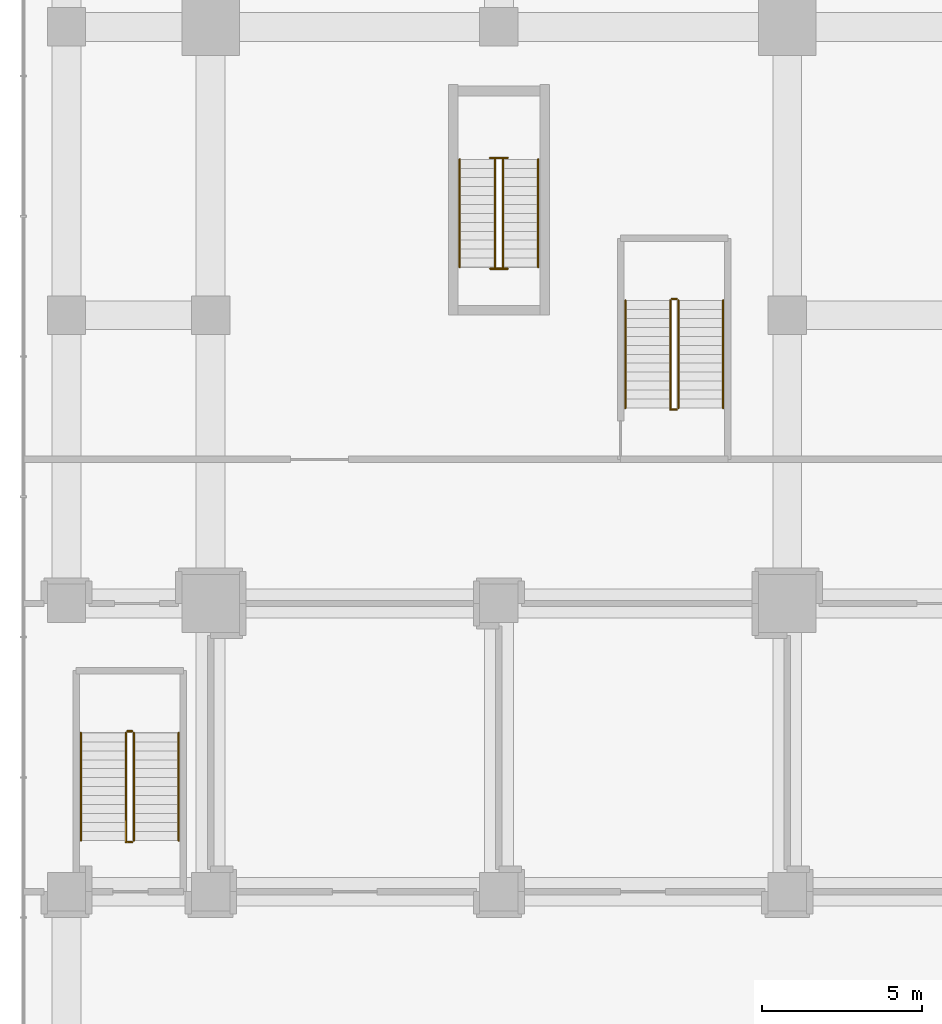
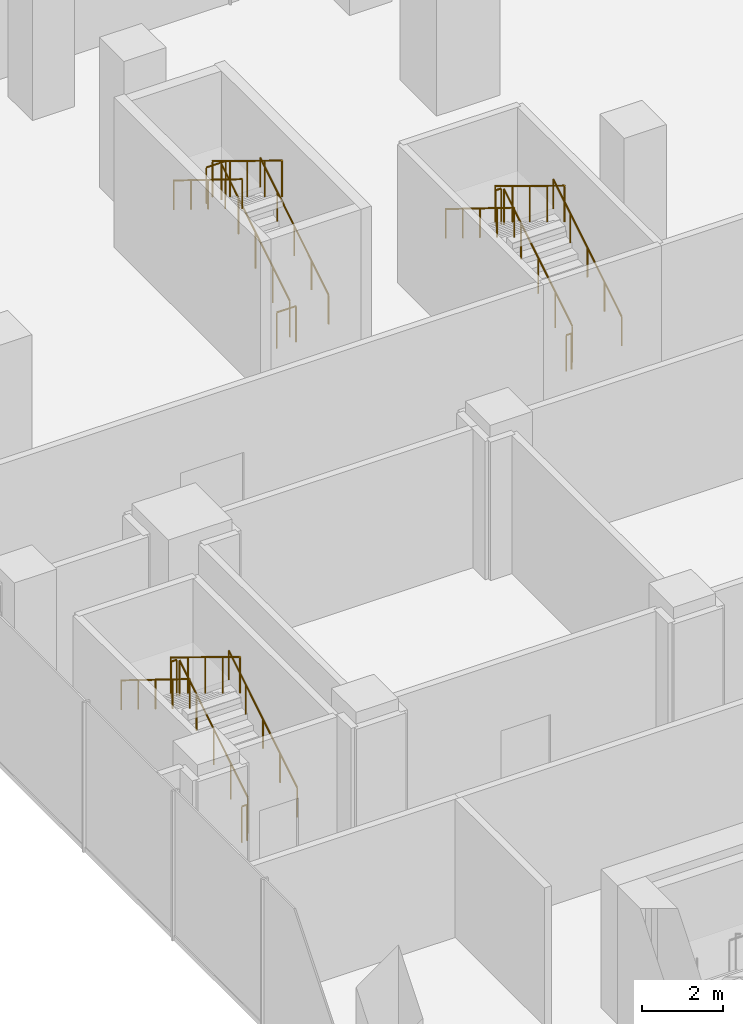
# One storey, part 40 of 43: 18 railings.
"""IFC4 building model written with IfcOpenShell, lengths in metres."""

import ifcopenshell
import ifcopenshell.guid

model = None  # the IFC model being written
_history = None  # IfcOwnerHistory: only IFC2X3 demands one
_inside = {}  # id of a spatial element -> (the spatial element, [elements in it])
_under = {}  # id of a project, library or spatial element -> (it, [spatial elements below it])
_declared = {}  # id of a project -> (the project, [libraries it declares])
_typed = {}  # id of a type object -> (the type object, [elements of that type])
_made_of = {}  # id of a material, layer set ... -> (it, [elements and type objects made of it])


def new_model(schema):
    """Start an empty IFC model of exactly this schema.

    Asked for "IFC4X3", IfcOpenShell would pick the latest addendum, in which some entities
    have other attributes; the version numbers below select the first issue.
    IFC2X3 requires an IfcOwnerHistory on every rooted entity: one is made here for all.
    """
    global model, _history
    if schema == "IFC4X3":
        model = ifcopenshell.file(schema_version=(4, 3, 0, 0))
    else:
        model = ifcopenshell.file(schema=schema)
    _inside.clear()
    _under.clear()
    _declared.clear()
    _typed.clear()
    _made_of.clear()
    _history = None
    if model.schema == "IFC2X3":
        org = make("IfcOrganization", Name="unknown")
        user = make(
            "IfcPersonAndOrganization",
            ThePerson=make("IfcPerson", FamilyName="unknown"),
            TheOrganization=org,
        )
        app = make(
            "IfcApplication",
            ApplicationDeveloper=org,
            Version="unknown",
            ApplicationFullName="unknown",
            ApplicationIdentifier="unknown",
        )
        _history = make(
            "IfcOwnerHistory",
            OwningUser=user,
            OwningApplication=app,
            ChangeAction="ADDED",
            CreationDate=0,
        )
    return model


def make(cls, **values):
    """One entity of the class cls with the attributes given. An attribute that is None is left unset."""
    return model.create_entity(
        cls, **{name: value for name, value in values.items() if value is not None}
    )


def rooted(cls, **values):
    """An entity with a GlobalId (a new one), such as an element, a storey or a relation."""
    return make(cls, GlobalId=ifcopenshell.guid.new(), OwnerHistory=_history, **values)


def si_unit(unit_type, name, prefix=None):
    """IfcSIUnit, for example si_unit("LENGTHUNIT", "METRE", prefix="MILLI")."""
    return make("IfcSIUnit", UnitType=unit_type, Prefix=prefix, Name=name)


def assignment(units):
    """IfcUnitAssignment: the units of a project."""
    return None if units is None else make("IfcUnitAssignment", Units=units)


def point(xyz):
    """IfcCartesianPoint."""
    return None if xyz is None else make("IfcCartesianPoint", Coordinates=xyz)


def direction(xyz):
    """IfcDirection."""
    return None if xyz is None else make("IfcDirection", DirectionRatios=xyz)


def frame(location, z_axis=None, x_axis=None):
    """IfcAxis2Placement3D, a coordinate frame: its origin and axes. An axis left out is left unset."""
    return make(
        "IfcAxis2Placement3D",
        Location=point(location),
        Axis=direction(z_axis),
        RefDirection=direction(x_axis),
    )


def frame_2d(location, x_axis=None):
    """IfcAxis2Placement2D, a coordinate frame in the plane: its origin and x axis."""
    return make(
        "IfcAxis2Placement2D", Location=point(location), RefDirection=direction(x_axis)
    )


def origin():
    """The frame at (0, 0, 0) with its axes left unset."""
    return frame((0.0, 0.0, 0.0))


def origin_2d():
    """The frame at (0, 0) in the plane with its x axis left unset."""
    return frame_2d((0.0, 0.0))


def place(relative_to, where):
    """IfcLocalPlacement: puts the frame where relative to a parent placement (None: the world)."""
    return make(
        "IfcLocalPlacement", PlacementRelTo=relative_to, RelativePlacement=where
    )


def context(
    kind, dimensions, precision=None, world=None, true_north=None, identifier=None
):
    """IfcGeometricRepresentationContext, for example the 3D "Model" context."""
    return make(
        "IfcGeometricRepresentationContext",
        ContextIdentifier=identifier,
        ContextType=kind,
        CoordinateSpaceDimension=dimensions,
        Precision=precision,
        WorldCoordinateSystem=world,
        TrueNorth=true_north,
    )


def subcontext(parent, identifier, kind, view, scale=None):
    """IfcGeometricRepresentationSubContext, for example "Body" below "Model"."""
    return make(
        "IfcGeometricRepresentationSubContext",
        ContextIdentifier=identifier,
        ContextType=kind,
        ParentContext=parent,
        TargetScale=scale,
        TargetView=view,
    )


def project(units=None, contexts=None):
    """IfcProject with its units and contexts."""
    return rooted(
        "IfcProject",
        Name="project",
        RepresentationContexts=contexts,
        UnitsInContext=assignment(units),
    )


def spatial(cls, under=None, at=None, **own):
    """A site, building, storey or space (cls), placed at a placement, below another one or the project."""
    s = rooted(cls, ObjectPlacement=at, **own)
    if under is not None:
        _under.setdefault(under.id(), (under, []))[1].append(s)
    return s


def profile(cls, at=None, kind="AREA", **sizes):
    """A parametric profile (cls). Its sizes go by their IFC names, for example OverallWidth=200.0."""
    return make(cls, ProfileType=kind, Position=at, **sizes)


def circle(**sizes):
    """IfcCircleProfileDef."""
    return profile("IfcCircleProfileDef", **sizes)


def extrude(swept, where, along, depth):
    """IfcExtrudedAreaSolid: the profile swept, set in the frame where, extruded along a direction by depth."""
    return make(
        "IfcExtrudedAreaSolid",
        SweptArea=swept,
        Position=where,
        ExtrudedDirection=direction(along),
        Depth=depth,
    )


def shape(context_of_items, identifier, shape_type, items):
    """IfcShapeRepresentation: the items that make up one representation, for example the "Body"."""
    return make(
        "IfcShapeRepresentation",
        ContextOfItems=context_of_items,
        RepresentationIdentifier=identifier,
        RepresentationType=shape_type,
        Items=items,
    )


def material(Name=None, Category=None):
    """IfcMaterial."""
    return make("IfcMaterial", Name=Name, Category=Category)


def made_of(thing, what):
    """Note that an element or type object is made of a material, layer set ...; save() writes the relation."""
    if what is not None:
        _made_of.setdefault(what.id(), (what, []))[1].append(thing)
    return thing


def type_object(cls, material=None, **own):
    """A type object (cls), such as IfcWallType, which elements share."""
    return made_of(rooted(cls, **own), material)


def element(
    cls,
    number,
    at=None,
    inside=None,
    cuts=None,
    type_object=None,
    material=None,
    context=None,
    identifier="Body",
    shape_type=None,
    held_by="IfcProductDefinitionShape",
    body=None,
    shapes=None,
    **own,
):
    """One element of the class cls, such as IfcWall. Its Tag is "e" and its number.

    at: its placement. inside: the storey or other place that contains it. cuts: it is an
    opening in that element (IfcRelVoidsElement). A single representation is given by context,
    identifier, shape_type and body (its items); several are given by shapes. held_by: the class
    of the entity that holds the representations. save() writes the other relations.
    """
    e = rooted(cls, Tag="e%d" % number, ObjectPlacement=at, **own)
    if body is not None:
        shapes = [shape(context, identifier, shape_type, body)]
    if shapes is not None:
        e.Representation = make(held_by, Representations=shapes)
    if inside is not None:
        _inside.setdefault(inside.id(), (inside, []))[1].append(e)
    if cuts is not None:
        rooted(
            "IfcRelVoidsElement", RelatingBuildingElement=cuts, RelatedOpeningElement=e
        )
    if type_object is not None:
        _typed.setdefault(type_object.id(), (type_object, []))[1].append(e)
    return made_of(e, material)


def aggregate(whole, parts):
    """IfcRelAggregates: a whole, such as a stair, and the parts it consists of."""
    return rooted("IfcRelAggregates", RelatingObject=whole, RelatedObjects=parts)


def save(model, path):
    """Write the relations noted so far, then the file.

    IfcRelAggregates (storeys below a building ...), IfcRelContainedInSpatialStructure (elements
    in a storey), IfcRelDefinesByType, IfcRelAssociatesMaterial and IfcRelDeclares: one each for
    every whole, place, type object, material and project.
    """
    for whole, parts in _under.values():
        aggregate(whole, parts)
    for where, things in _inside.values():
        rooted(
            "IfcRelContainedInSpatialStructure",
            RelatedElements=things,
            RelatingStructure=where,
        )
    for kind, things in _typed.values():
        rooted("IfcRelDefinesByType", RelatedObjects=things, RelatingType=kind)
    for what, things in _made_of.values():
        rooted("IfcRelAssociatesMaterial", RelatedObjects=things, RelatingMaterial=what)
    for by, libraries in _declared.values():
        rooted("IfcRelDeclares", RelatingContext=by, RelatedDefinitions=libraries)
    model.write(path)


model = new_model("IFC4")

# Units and contexts
model_context = context("Model", 3, precision=1e-05, world=origin(), true_north=direction((0.0, 1.0)))
body_context = subcontext(model_context, "Body", "Model", "MODEL_VIEW")
ifc_project = project(units=[si_unit("LENGTHUNIT", "METRE"), si_unit("AREAUNIT", "SQUARE_METRE"), si_unit("VOLUMEUNIT", "CUBIC_METRE"), si_unit("PLANEANGLEUNIT", "RADIAN"), si_unit("MASSUNIT", "GRAM", prefix="KILO")], contexts=[model_context])

# Site, building, storey
site_placement = place(None, origin())
site = spatial("IfcSite", under=ifc_project, at=site_placement, CompositionType="ELEMENT")
building_placement = place(site_placement, origin())
building = spatial("IfcBuilding", under=site, at=building_placement, Name="Plateau Cross Towers", CompositionType="ELEMENT")
storey_placement = place(building_placement, frame((0.0, 0.0, 17.300048828125)))
storey = spatial("IfcBuildingStorey", under=building, at=storey_placement, Name="L03", CompositionType="ELEMENT", Elevation=17.300048828125)

# Railings
ifc_material_1 = material(Name="Stainless steel and toughened glass", Category="steel")
railing_type_1 = type_object("IfcRailingType", Name="RL-GUARD-1100", PredefinedType="GUARDRAIL", material=ifc_material_1)
railing_1_placement = place(storey_placement, frame((9.125, 46.5, 0.173095703125)))
element("IfcRailing", 1, at=railing_1_placement, inside=storey, type_object=railing_type_1, Name="L03 ES-N stair guard 1", PredefinedType="GUARDRAIL", context=body_context, shape_type="SweptSolid", body=[
    extrude(circle(Radius=0.02392578125, at=origin_2d()), frame((0.0, 0.0, 1.076171875), z_axis=(0.0, 0.850623216509, 0.525775754039), x_axis=(-1.0, 0.0, 0.0)), (0.0, 0.0, 1.0), 3.9501953125),
    extrude(circle(Radius=0.02099609375, at=origin_2d()), origin(), (0.0, 0.0, 1.0), 1.052001953125),
    extrude(circle(Radius=0.02099609375, at=origin_2d()), frame((0.0, 0.840087890625, 0.519287109375)), (0.0, 0.0, 1.0), 1.052001953125),
    extrude(circle(Radius=0.02099609375, at=origin_2d()), frame((0.0, 1.68017578125, 1.03857421875)), (0.0, 0.0, 1.0), 1.052001953125),
    extrude(circle(Radius=0.02099609375, at=origin_2d()), frame((0.0, 2.52001953125, 1.5576171875)), (0.0, 0.0, 1.0), 1.052001953125),
    extrude(circle(Radius=0.02099609375, at=origin_2d()), frame((0.0, 3.360107421875, 2.076904296875)), (0.0, 0.0, 1.0), 1.052001953125),
])
railing_2_placement = place(storey_placement, frame((9.27490234375, 49.909912109375, 2.25)))
element("IfcRailing", 2, at=railing_2_placement, inside=storey, type_object=railing_type_1, Name="L03 ES-N stair guard 2", PredefinedType="GUARDRAIL", context=body_context, shape_type="SweptSolid", body=[
    extrude(circle(Radius=0.02392578125, at=origin_2d()), frame((0.0, 0.0, 1.076171875), z_axis=(-1.0, 0.0, 0.0), x_axis=(0.0, -1.0, 0.0)), (0.0, 0.0, 1.0), 0.5498046875),
    extrude(circle(Radius=0.02099609375, at=origin_2d()), origin(), (0.0, 0.0, 1.0), 1.052001953125),
    extrude(circle(Radius=0.02099609375, at=origin_2d()), frame((-0.5498046875, 0.0, 0.0)), (0.0, 0.0, 1.0), 1.052001953125),
])
railing_3_placement = place(storey_placement, frame((8.875, 49.860107421875, 2.423095703125)))
element("IfcRailing", 3, at=railing_3_placement, inside=storey, type_object=railing_type_1, Name="L03 ES-N stair guard 3", PredefinedType="GUARDRAIL", context=body_context, shape_type="SweptSolid", body=[
    extrude(circle(Radius=0.02392578125, at=origin_2d()), frame((0.0, 0.0, 1.076171875), z_axis=(0.0, -0.854069830296, 0.520158365287), x_axis=(1.0, 0.0, 0.0)), (0.0, 0.0, 1.0), 3.992919921875),
    extrude(circle(Radius=0.02099609375, at=origin_2d()), origin(), (0.0, 0.0, 1.0), 1.052001953125),
    extrude(circle(Radius=0.02099609375, at=origin_2d()), frame((0.0, -0.8525390625, 0.519287109375)), (0.0, 0.0, 1.0), 1.052001953125),
    extrude(circle(Radius=0.02099609375, at=origin_2d()), frame((0.0, -1.705078125, 1.03857421875)), (0.0, 0.0, 1.0), 1.052001953125),
    extrude(circle(Radius=0.02099609375, at=origin_2d()), frame((0.0, -2.5576171875, 1.5576171875)), (0.0, 0.0, 1.0), 1.052001953125),
    extrude(circle(Radius=0.02099609375, at=origin_2d()), frame((0.0, -3.41015625, 2.076904296875)), (0.0, 0.0, 1.0), 1.052001953125),
])
railing_4_placement = place(storey_placement, frame((9.27490234375, 46.449951171875, 0.0)))
element("IfcRailing", 4, at=railing_4_placement, inside=storey, type_object=railing_type_1, Name="L03 ES-N stair guard 4", PredefinedType="GUARDRAIL", context=body_context, shape_type="SweptSolid", body=[
    extrude(circle(Radius=0.02392578125, at=origin_2d()), frame((0.0, 0.0, 1.076171875), z_axis=(-1.0, 0.0, 0.0), x_axis=(0.0, -1.0, 0.0)), (0.0, 0.0, 1.0), 0.5498046875),
    extrude(circle(Radius=0.02099609375, at=origin_2d()), origin(), (0.0, 0.0, 1.0), 1.052001953125),
    extrude(circle(Radius=0.02099609375, at=origin_2d()), frame((-0.5498046875, 0.0, 0.0)), (0.0, 0.0, 1.0), 1.052001953125),
])
railing_5_placement = place(storey_placement, frame((-2.39990234375, 28.60009765625, 0.173095703125)))
element("IfcRailing", 5, at=railing_5_placement, inside=storey, type_object=railing_type_1, Name="L03 PS4 stair guard 1", PredefinedType="GUARDRAIL", context=body_context, shape_type="SweptSolid", body=[
    extrude(circle(Radius=0.02392578125, at=origin_2d()), frame((0.0, 0.0, 1.076171875), z_axis=(0.0, 0.850606129759, 0.525803396734), x_axis=(-1.0, 0.0, 0.0)), (0.0, 0.0, 1.0), 3.949951171875),
    extrude(circle(Radius=0.02099609375, at=origin_2d()), origin(), (0.0, 0.0, 1.0), 1.052001953125),
    extrude(circle(Radius=0.02099609375, at=origin_2d()), frame((0.0, 0.83984375, 0.519287109375)), (0.0, 0.0, 1.0), 1.052001953125),
    extrude(circle(Radius=0.02099609375, at=origin_2d()), frame((0.0, 1.679931640625, 1.03857421875)), (0.0, 0.0, 1.0), 1.052001953125),
    extrude(circle(Radius=0.02099609375, at=origin_2d()), frame((0.0, 2.52001953125, 1.5576171875)), (0.0, 0.0, 1.0), 1.052001953125),
    extrude(circle(Radius=0.02099609375, at=origin_2d()), frame((0.0, 3.35986328125, 2.076904296875)), (0.0, 0.0, 1.0), 1.052001953125),
])
railing_6_placement = place(storey_placement, frame((-2.449951171875, 32.010009765625, 2.25)))
element("IfcRailing", 6, at=railing_6_placement, inside=storey, type_object=railing_type_1, Name="L03 PS4 stair guard 2", PredefinedType="GUARDRAIL", context=body_context, shape_type="SweptSolid", body=[
    extrude(circle(Radius=0.02392578125, at=origin_2d()), frame((0.0, 0.0, 1.076171875), z_axis=(-1.0, 0.0, 0.0), x_axis=(0.0, -1.0, 0.0)), (0.0, 0.0, 1.0), 0.150146484375),
    extrude(circle(Radius=0.02099609375, at=origin_2d()), origin(), (0.0, 0.0, 1.0), 1.052001953125),
    extrude(circle(Radius=0.02099609375, at=origin_2d()), frame((-0.150146484375, 0.0, 0.0)), (0.0, 0.0, 1.0), 1.052001953125),
])
railing_7_placement = place(storey_placement, frame((-2.64990234375, 31.9599609375, 2.423095703125)))
element("IfcRailing", 7, at=railing_7_placement, inside=storey, type_object=railing_type_1, Name="L03 PS4 stair guard 3", PredefinedType="GUARDRAIL", context=body_context, shape_type="SweptSolid", body=[
    extrude(circle(Radius=0.02392578125, at=origin_2d()), frame((0.0, 0.0, 1.076171875), z_axis=(0.0, -0.854053285388, 0.520185530092), x_axis=(1.0, 0.0, 0.0)), (0.0, 0.0, 1.0), 3.99267578125),
    extrude(circle(Radius=0.02099609375, at=origin_2d()), origin(), (0.0, 0.0, 1.0), 1.052001953125),
    extrude(circle(Radius=0.02099609375, at=origin_2d()), frame((0.0, -0.8525390625, 0.519287109375)), (0.0, 0.0, 1.0), 1.052001953125),
    extrude(circle(Radius=0.02099609375, at=origin_2d()), frame((0.0, -1.705078125, 1.03857421875)), (0.0, 0.0, 1.0), 1.052001953125),
    extrude(circle(Radius=0.02099609375, at=origin_2d()), frame((0.0, -2.557373046875, 1.5576171875)), (0.0, 0.0, 1.0), 1.052001953125),
    extrude(circle(Radius=0.02099609375, at=origin_2d()), frame((0.0, -3.409912109375, 2.076904296875)), (0.0, 0.0, 1.0), 1.052001953125),
])
railing_8_placement = place(storey_placement, frame((-2.449951171875, 28.550048828125, 0.0)))
element("IfcRailing", 8, at=railing_8_placement, inside=storey, type_object=railing_type_1, Name="L03 PS4 stair guard 4", PredefinedType="GUARDRAIL", context=body_context, shape_type="SweptSolid", body=[
    extrude(circle(Radius=0.02392578125, at=origin_2d()), frame((0.0, 0.0, 1.076171875), z_axis=(-1.0, 0.0, 0.0), x_axis=(0.0, -1.0, 0.0)), (0.0, 0.0, 1.0), 0.150146484375),
    extrude(circle(Radius=0.02099609375, at=origin_2d()), origin(), (0.0, 0.0, 1.0), 1.052001953125),
    extrude(circle(Radius=0.02099609375, at=origin_2d()), frame((-0.150146484375, 0.0, 0.0)), (0.0, 0.0, 1.0), 1.052001953125),
])
railing_9_placement = place(storey_placement, frame((14.60009765625, 42.10009765625, 0.173095703125)))
element("IfcRailing", 9, at=railing_9_placement, inside=storey, type_object=railing_type_1, Name="L03 PS6 stair guard 1", PredefinedType="GUARDRAIL", context=body_context, shape_type="SweptSolid", body=[
    extrude(circle(Radius=0.02392578125, at=origin_2d()), frame((0.0, 0.0, 1.076171875), z_axis=(0.0, 0.850606129759, 0.525803396734), x_axis=(-1.0, 0.0, 0.0)), (0.0, 0.0, 1.0), 3.949951171875),
    extrude(circle(Radius=0.02099609375, at=origin_2d()), origin(), (0.0, 0.0, 1.0), 1.052001953125),
    extrude(circle(Radius=0.02099609375, at=origin_2d()), frame((0.0, 0.83984375, 0.519287109375)), (0.0, 0.0, 1.0), 1.052001953125),
    extrude(circle(Radius=0.02099609375, at=origin_2d()), frame((0.0, 1.679931640625, 1.03857421875)), (0.0, 0.0, 1.0), 1.052001953125),
    extrude(circle(Radius=0.02099609375, at=origin_2d()), frame((0.0, 2.52001953125, 1.5576171875)), (0.0, 0.0, 1.0), 1.052001953125),
    extrude(circle(Radius=0.02099609375, at=origin_2d()), frame((0.0, 3.35986328125, 2.076904296875)), (0.0, 0.0, 1.0), 1.052001953125),
])
railing_10_placement = place(storey_placement, frame((14.550048828125, 45.510009765625, 2.25)))
element("IfcRailing", 10, at=railing_10_placement, inside=storey, type_object=railing_type_1, Name="L03 PS6 stair guard 2", PredefinedType="GUARDRAIL", context=body_context, shape_type="SweptSolid", body=[
    extrude(circle(Radius=0.02392578125, at=origin_2d()), frame((0.0, 0.0, 1.076171875), z_axis=(-1.0, 0.0, 0.0), x_axis=(0.0, -1.0, 0.0)), (0.0, 0.0, 1.0), 0.150146484375),
    extrude(circle(Radius=0.02099609375, at=origin_2d()), origin(), (0.0, 0.0, 1.0), 1.052001953125),
    extrude(circle(Radius=0.02099609375, at=origin_2d()), frame((-0.150146484375, 0.0, 0.0)), (0.0, 0.0, 1.0), 1.052001953125),
])
railing_11_placement = place(storey_placement, frame((14.35009765625, 45.4599609375, 2.423095703125)))
element("IfcRailing", 11, at=railing_11_placement, inside=storey, type_object=railing_type_1, Name="L03 PS6 stair guard 3", PredefinedType="GUARDRAIL", context=body_context, shape_type="SweptSolid", body=[
    extrude(circle(Radius=0.02392578125, at=origin_2d()), frame((0.0, 0.0, 1.076171875), z_axis=(0.0, -0.854053285388, 0.520185530092), x_axis=(1.0, 0.0, 0.0)), (0.0, 0.0, 1.0), 3.99267578125),
    extrude(circle(Radius=0.02099609375, at=origin_2d()), origin(), (0.0, 0.0, 1.0), 1.052001953125),
    extrude(circle(Radius=0.02099609375, at=origin_2d()), frame((0.0, -0.8525390625, 0.519287109375)), (0.0, 0.0, 1.0), 1.052001953125),
    extrude(circle(Radius=0.02099609375, at=origin_2d()), frame((0.0, -1.705078125, 1.03857421875)), (0.0, 0.0, 1.0), 1.052001953125),
    extrude(circle(Radius=0.02099609375, at=origin_2d()), frame((0.0, -2.557373046875, 1.5576171875)), (0.0, 0.0, 1.0), 1.052001953125),
    extrude(circle(Radius=0.02099609375, at=origin_2d()), frame((0.0, -3.409912109375, 2.076904296875)), (0.0, 0.0, 1.0), 1.052001953125),
])
railing_12_placement = place(storey_placement, frame((14.550048828125, 42.050048828125, 0.0)))
element("IfcRailing", 12, at=railing_12_placement, inside=storey, type_object=railing_type_1, Name="L03 PS6 stair guard 4", PredefinedType="GUARDRAIL", context=body_context, shape_type="SweptSolid", body=[
    extrude(circle(Radius=0.02392578125, at=origin_2d()), frame((0.0, 0.0, 1.076171875), z_axis=(-1.0, 0.0, 0.0), x_axis=(0.0, -1.0, 0.0)), (0.0, 0.0, 1.0), 0.150146484375),
    extrude(circle(Radius=0.02099609375, at=origin_2d()), origin(), (0.0, 0.0, 1.0), 1.052001953125),
    extrude(circle(Radius=0.02099609375, at=origin_2d()), frame((-0.150146484375, 0.0, 0.0)), (0.0, 0.0, 1.0), 1.052001953125),
])
ifc_material_2 = material(Name="Black anodised aluminium", Category="aluminium")
railing_type_2 = type_object("IfcRailingType", Name="RL-HANDRAIL-900", PredefinedType="HANDRAIL", material=ifc_material_2)
railing_13_placement = place(storey_placement, frame((10.22509765625, 46.5, 0.173095703125)))
element("IfcRailing", 13, at=railing_13_placement, inside=storey, type_object=railing_type_2, Name="L03 ES-N stair handrail 1", PredefinedType="HANDRAIL", context=body_context, shape_type="SweptSolid", body=[
    extrude(circle(Radius=0.02392578125, at=origin_2d()), frame((0.0, 0.0, 0.8759765625), z_axis=(0.0, 0.850623216509, 0.525775754039), x_axis=(-1.0, 0.0, 0.0)), (0.0, 0.0, 1.0), 3.9501953125),
    extrude(circle(Radius=0.02099609375, at=origin_2d()), origin(), (0.0, 0.0, 1.0), 0.851806640625),
    extrude(circle(Radius=0.02099609375, at=origin_2d()), frame((0.0, 0.840087890625, 0.519287109375)), (0.0, 0.0, 1.0), 0.851806640625),
    extrude(circle(Radius=0.02099609375, at=origin_2d()), frame((0.0, 1.68017578125, 1.03857421875)), (0.0, 0.0, 1.0), 0.851806640625),
    extrude(circle(Radius=0.02099609375, at=origin_2d()), frame((0.0, 2.52001953125, 1.5576171875)), (0.0, 0.0, 1.0), 0.851806640625),
    extrude(circle(Radius=0.02099609375, at=origin_2d()), frame((0.0, 3.360107421875, 2.076904296875)), (0.0, 0.0, 1.0), 0.851806640625),
])
railing_14_placement = place(storey_placement, frame((7.77490234375, 49.860107421875, 2.423095703125)))
element("IfcRailing", 14, at=railing_14_placement, inside=storey, type_object=railing_type_2, Name="L03 ES-N stair handrail 2", PredefinedType="HANDRAIL", context=body_context, shape_type="SweptSolid", body=[
    extrude(circle(Radius=0.02392578125, at=origin_2d()), frame((0.0, 0.0, 0.8759765625), z_axis=(0.0, -0.850623216509, 0.525775754039), x_axis=(1.0, 0.0, 0.0)), (0.0, 0.0, 1.0), 3.9501953125),
    extrude(circle(Radius=0.02099609375, at=origin_2d()), origin(), (0.0, 0.0, 1.0), 0.851806640625),
    extrude(circle(Radius=0.02099609375, at=origin_2d()), frame((0.0, -0.840087890625, 0.519287109375)), (0.0, 0.0, 1.0), 0.851806640625),
    extrude(circle(Radius=0.02099609375, at=origin_2d()), frame((0.0, -1.68017578125, 1.03857421875)), (0.0, 0.0, 1.0), 0.851806640625),
    extrude(circle(Radius=0.02099609375, at=origin_2d()), frame((0.0, -2.52001953125, 1.5576171875)), (0.0, 0.0, 1.0), 0.851806640625),
    extrude(circle(Radius=0.02099609375, at=origin_2d()), frame((0.0, -3.360107421875, 2.076904296875)), (0.0, 0.0, 1.0), 0.851806640625),
])
railing_15_placement = place(storey_placement, frame((-1.0, 28.60009765625, 0.173095703125)))
element("IfcRailing", 15, at=railing_15_placement, inside=storey, type_object=railing_type_2, Name="L03 PS4 stair handrail 1", PredefinedType="HANDRAIL", context=body_context, shape_type="SweptSolid", body=[
    extrude(circle(Radius=0.02392578125, at=origin_2d()), frame((0.0, 0.0, 0.8759765625), z_axis=(0.0, 0.850606129759, 0.525803396734), x_axis=(-1.0, 0.0, 0.0)), (0.0, 0.0, 1.0), 3.949951171875),
    extrude(circle(Radius=0.02099609375, at=origin_2d()), origin(), (0.0, 0.0, 1.0), 0.851806640625),
    extrude(circle(Radius=0.02099609375, at=origin_2d()), frame((0.0, 0.83984375, 0.519287109375)), (0.0, 0.0, 1.0), 0.851806640625),
    extrude(circle(Radius=0.02099609375, at=origin_2d()), frame((0.0, 1.679931640625, 1.03857421875)), (0.0, 0.0, 1.0), 0.851806640625),
    extrude(circle(Radius=0.02099609375, at=origin_2d()), frame((0.0, 2.52001953125, 1.5576171875)), (0.0, 0.0, 1.0), 0.851806640625),
    extrude(circle(Radius=0.02099609375, at=origin_2d()), frame((0.0, 3.35986328125, 2.076904296875)), (0.0, 0.0, 1.0), 0.851806640625),
])
railing_16_placement = place(storey_placement, frame((-4.050048828125, 31.9599609375, 2.423095703125)))
element("IfcRailing", 16, at=railing_16_placement, inside=storey, type_object=railing_type_2, Name="L03 PS4 stair handrail 2", PredefinedType="HANDRAIL", context=body_context, shape_type="SweptSolid", body=[
    extrude(circle(Radius=0.02392578125, at=origin_2d()), frame((0.0, 0.0, 0.8759765625), z_axis=(0.0, -0.850606129759, 0.525803396734), x_axis=(1.0, 0.0, 0.0)), (0.0, 0.0, 1.0), 3.949951171875),
    extrude(circle(Radius=0.02099609375, at=origin_2d()), origin(), (0.0, 0.0, 1.0), 0.851806640625),
    extrude(circle(Radius=0.02099609375, at=origin_2d()), frame((0.0, -0.83984375, 0.519287109375)), (0.0, 0.0, 1.0), 0.851806640625),
    extrude(circle(Radius=0.02099609375, at=origin_2d()), frame((0.0, -1.679931640625, 1.03857421875)), (0.0, 0.0, 1.0), 0.851806640625),
    extrude(circle(Radius=0.02099609375, at=origin_2d()), frame((0.0, -2.52001953125, 1.5576171875)), (0.0, 0.0, 1.0), 0.851806640625),
    extrude(circle(Radius=0.02099609375, at=origin_2d()), frame((0.0, -3.35986328125, 2.076904296875)), (0.0, 0.0, 1.0), 0.851806640625),
])
railing_17_placement = place(storey_placement, frame((16.0, 42.10009765625, 0.173095703125)))
element("IfcRailing", 17, at=railing_17_placement, inside=storey, type_object=railing_type_2, Name="L03 PS6 stair handrail 1", PredefinedType="HANDRAIL", context=body_context, shape_type="SweptSolid", body=[
    extrude(circle(Radius=0.02392578125, at=origin_2d()), frame((0.0, 0.0, 0.8759765625), z_axis=(0.0, 0.850606129759, 0.525803396734), x_axis=(-1.0, 0.0, 0.0)), (0.0, 0.0, 1.0), 3.949951171875),
    extrude(circle(Radius=0.02099609375, at=origin_2d()), origin(), (0.0, 0.0, 1.0), 0.851806640625),
    extrude(circle(Radius=0.02099609375, at=origin_2d()), frame((0.0, 0.83984375, 0.519287109375)), (0.0, 0.0, 1.0), 0.851806640625),
    extrude(circle(Radius=0.02099609375, at=origin_2d()), frame((0.0, 1.679931640625, 1.03857421875)), (0.0, 0.0, 1.0), 0.851806640625),
    extrude(circle(Radius=0.02099609375, at=origin_2d()), frame((0.0, 2.52001953125, 1.5576171875)), (0.0, 0.0, 1.0), 0.851806640625),
    extrude(circle(Radius=0.02099609375, at=origin_2d()), frame((0.0, 3.35986328125, 2.076904296875)), (0.0, 0.0, 1.0), 0.851806640625),
])
railing_18_placement = place(storey_placement, frame((12.949951171875, 45.4599609375, 2.423095703125)))
element("IfcRailing", 18, at=railing_18_placement, inside=storey, type_object=railing_type_2, Name="L03 PS6 stair handrail 2", PredefinedType="HANDRAIL", context=body_context, shape_type="SweptSolid", body=[
    extrude(circle(Radius=0.02392578125, at=origin_2d()), frame((0.0, 0.0, 0.8759765625), z_axis=(0.0, -0.850606129759, 0.525803396734), x_axis=(1.0, 0.0, 0.0)), (0.0, 0.0, 1.0), 3.949951171875),
    extrude(circle(Radius=0.02099609375, at=origin_2d()), origin(), (0.0, 0.0, 1.0), 0.851806640625),
    extrude(circle(Radius=0.02099609375, at=origin_2d()), frame((0.0, -0.83984375, 0.519287109375)), (0.0, 0.0, 1.0), 0.851806640625),
    extrude(circle(Radius=0.02099609375, at=origin_2d()), frame((0.0, -1.679931640625, 1.03857421875)), (0.0, 0.0, 1.0), 0.851806640625),
    extrude(circle(Radius=0.02099609375, at=origin_2d()), frame((0.0, -2.52001953125, 1.5576171875)), (0.0, 0.0, 1.0), 0.851806640625),
    extrude(circle(Radius=0.02099609375, at=origin_2d()), frame((0.0, -3.35986328125, 2.076904296875)), (0.0, 0.0, 1.0), 0.851806640625),
])

save(model, "model.ifc")
